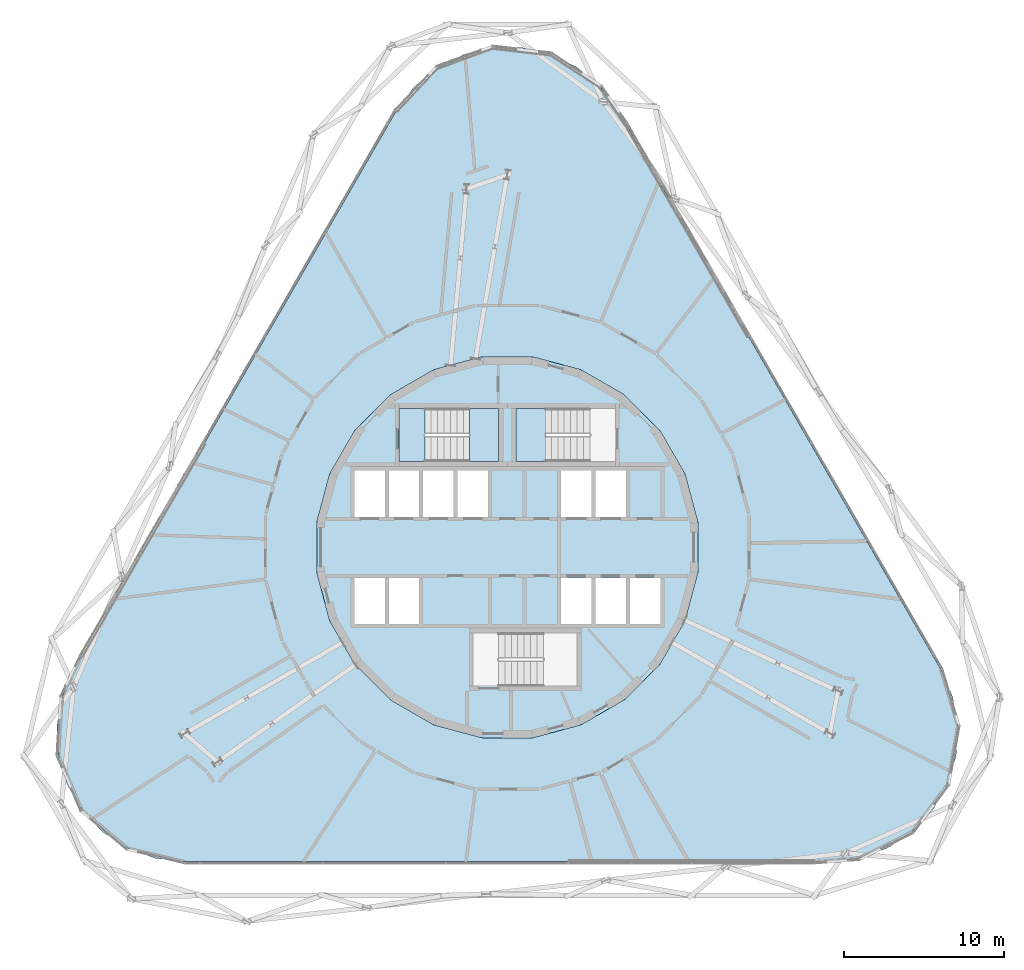
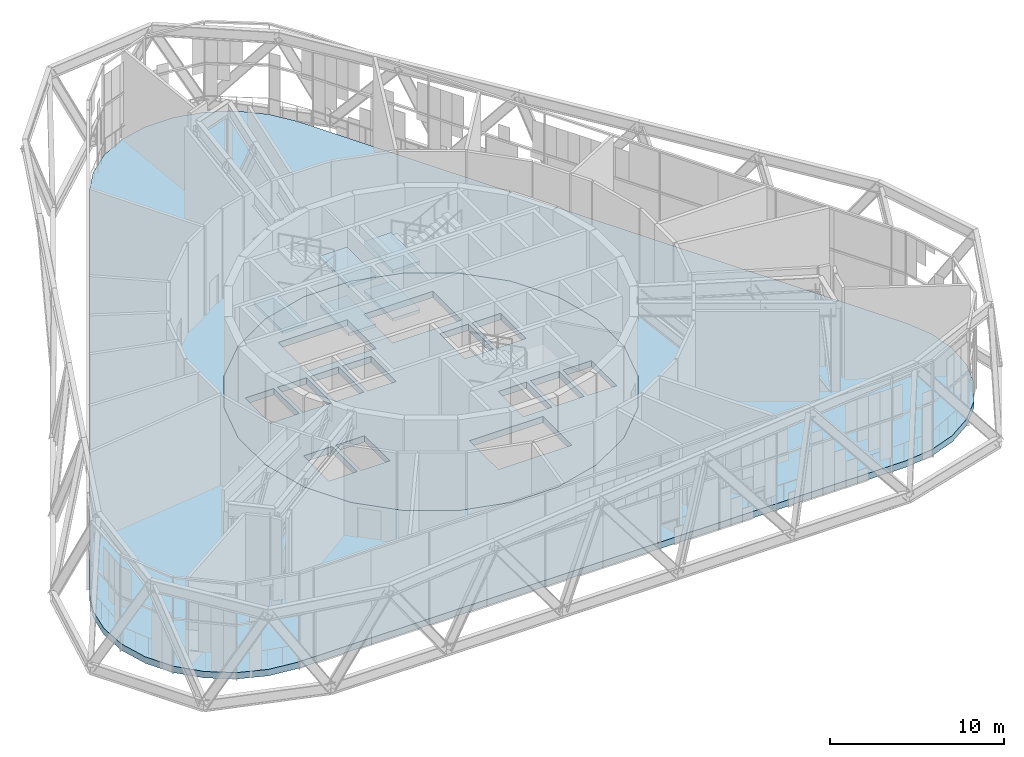
# One storey, part 14 of 29: 7 slabs, 2 elements without a shape of their own.
"""IFC4 building model written with IfcOpenShell, lengths in metres."""

import ifcopenshell
import ifcopenshell.guid

model = None  # the IFC model being written
_history = None  # IfcOwnerHistory: only IFC2X3 demands one
_inside = {}  # id of a spatial element -> (the spatial element, [elements in it])
_under = {}  # id of a project, library or spatial element -> (it, [spatial elements below it])
_declared = {}  # id of a project -> (the project, [libraries it declares])
_typed = {}  # id of a type object -> (the type object, [elements of that type])
_made_of = {}  # id of a material, layer set ... -> (it, [elements and type objects made of it])


def new_model(schema):
    """Start an empty IFC model of exactly this schema.

    Asked for "IFC4X3", IfcOpenShell would pick the latest addendum, in which some entities
    have other attributes; the version numbers below select the first issue.
    IFC2X3 requires an IfcOwnerHistory on every rooted entity: one is made here for all.
    """
    global model, _history
    if schema == "IFC4X3":
        model = ifcopenshell.file(schema_version=(4, 3, 0, 0))
    else:
        model = ifcopenshell.file(schema=schema)
    _inside.clear()
    _under.clear()
    _declared.clear()
    _typed.clear()
    _made_of.clear()
    _history = None
    if model.schema == "IFC2X3":
        org = make("IfcOrganization", Name="unknown")
        user = make(
            "IfcPersonAndOrganization",
            ThePerson=make("IfcPerson", FamilyName="unknown"),
            TheOrganization=org,
        )
        app = make(
            "IfcApplication",
            ApplicationDeveloper=org,
            Version="unknown",
            ApplicationFullName="unknown",
            ApplicationIdentifier="unknown",
        )
        _history = make(
            "IfcOwnerHistory",
            OwningUser=user,
            OwningApplication=app,
            ChangeAction="ADDED",
            CreationDate=0,
        )
    return model


def make(cls, **values):
    """One entity of the class cls with the attributes given. An attribute that is None is left unset."""
    return model.create_entity(
        cls, **{name: value for name, value in values.items() if value is not None}
    )


def rooted(cls, **values):
    """An entity with a GlobalId (a new one), such as an element, a storey or a relation."""
    return make(cls, GlobalId=ifcopenshell.guid.new(), OwnerHistory=_history, **values)


def si_unit(unit_type, name, prefix=None):
    """IfcSIUnit, for example si_unit("LENGTHUNIT", "METRE", prefix="MILLI")."""
    return make("IfcSIUnit", UnitType=unit_type, Prefix=prefix, Name=name)


def assignment(units):
    """IfcUnitAssignment: the units of a project."""
    return None if units is None else make("IfcUnitAssignment", Units=units)


def point(xyz):
    """IfcCartesianPoint."""
    return None if xyz is None else make("IfcCartesianPoint", Coordinates=xyz)


def direction(xyz):
    """IfcDirection."""
    return None if xyz is None else make("IfcDirection", DirectionRatios=xyz)


def frame(location, z_axis=None, x_axis=None):
    """IfcAxis2Placement3D, a coordinate frame: its origin and axes. An axis left out is left unset."""
    return make(
        "IfcAxis2Placement3D",
        Location=point(location),
        Axis=direction(z_axis),
        RefDirection=direction(x_axis),
    )


def origin():
    """The frame at (0, 0, 0) with its axes left unset."""
    return frame((0.0, 0.0, 0.0))


def place(relative_to, where):
    """IfcLocalPlacement: puts the frame where relative to a parent placement (None: the world)."""
    return make(
        "IfcLocalPlacement", PlacementRelTo=relative_to, RelativePlacement=where
    )


def context(
    kind, dimensions, precision=None, world=None, true_north=None, identifier=None
):
    """IfcGeometricRepresentationContext, for example the 3D "Model" context."""
    return make(
        "IfcGeometricRepresentationContext",
        ContextIdentifier=identifier,
        ContextType=kind,
        CoordinateSpaceDimension=dimensions,
        Precision=precision,
        WorldCoordinateSystem=world,
        TrueNorth=true_north,
    )


def subcontext(parent, identifier, kind, view, scale=None):
    """IfcGeometricRepresentationSubContext, for example "Body" below "Model"."""
    return make(
        "IfcGeometricRepresentationSubContext",
        ContextIdentifier=identifier,
        ContextType=kind,
        ParentContext=parent,
        TargetScale=scale,
        TargetView=view,
    )


def project(units=None, contexts=None):
    """IfcProject with its units and contexts."""
    return rooted(
        "IfcProject",
        Name="project",
        RepresentationContexts=contexts,
        UnitsInContext=assignment(units),
    )


def spatial(cls, under=None, at=None, **own):
    """A site, building, storey or space (cls), placed at a placement, below another one or the project."""
    s = rooted(cls, ObjectPlacement=at, **own)
    if under is not None:
        _under.setdefault(under.id(), (under, []))[1].append(s)
    return s


def polyline(points):
    """IfcPolyline through the points."""
    return make("IfcPolyline", Points=[point(p) for p in points])


def outline(outer, holes=None, kind="AREA"):
    """IfcArbitraryClosedProfileDef: a profile drawn as a closed curve; with holes, ...WithVoids."""
    if holes is None:
        return make("IfcArbitraryClosedProfileDef", ProfileType=kind, OuterCurve=outer)
    return make(
        "IfcArbitraryProfileDefWithVoids",
        ProfileType=kind,
        OuterCurve=outer,
        InnerCurves=holes,
    )


def extrude(swept, where, along, depth):
    """IfcExtrudedAreaSolid: the profile swept, set in the frame where, extruded along a direction by depth."""
    return make(
        "IfcExtrudedAreaSolid",
        SweptArea=swept,
        Position=where,
        ExtrudedDirection=direction(along),
        Depth=depth,
    )


def shape(context_of_items, identifier, shape_type, items):
    """IfcShapeRepresentation: the items that make up one representation, for example the "Body"."""
    return make(
        "IfcShapeRepresentation",
        ContextOfItems=context_of_items,
        RepresentationIdentifier=identifier,
        RepresentationType=shape_type,
        Items=items,
    )


def material(Name=None, Category=None):
    """IfcMaterial."""
    return make("IfcMaterial", Name=Name, Category=Category)


def layer(
    of_material, thickness, ventilated=None, Name=None, Category=None, Priority=None
):
    """IfcMaterialLayer: one layer of a wall or slab, of a material (None: an air gap)."""
    return make(
        "IfcMaterialLayer",
        Material=of_material,
        LayerThickness=thickness,
        IsVentilated=ventilated,
        Name=Name,
        Category=Category,
        Priority=Priority,
    )


def layer_set(layers, Name=None):
    """IfcMaterialLayerSet."""
    return make("IfcMaterialLayerSet", MaterialLayers=layers, LayerSetName=Name)


def made_of(thing, what):
    """Note that an element or type object is made of a material, layer set ...; save() writes the relation."""
    if what is not None:
        _made_of.setdefault(what.id(), (what, []))[1].append(thing)
    return thing


def type_object(cls, material=None, **own):
    """A type object (cls), such as IfcWallType, which elements share."""
    return made_of(rooted(cls, **own), material)


def element(
    cls,
    number,
    at=None,
    inside=None,
    cuts=None,
    type_object=None,
    material=None,
    context=None,
    identifier="Body",
    shape_type=None,
    held_by="IfcProductDefinitionShape",
    body=None,
    shapes=None,
    **own,
):
    """One element of the class cls, such as IfcWall. Its Tag is "e" and its number.

    at: its placement. inside: the storey or other place that contains it. cuts: it is an
    opening in that element (IfcRelVoidsElement). A single representation is given by context,
    identifier, shape_type and body (its items); several are given by shapes. held_by: the class
    of the entity that holds the representations. save() writes the other relations.
    """
    e = rooted(cls, Tag="e%d" % number, ObjectPlacement=at, **own)
    if body is not None:
        shapes = [shape(context, identifier, shape_type, body)]
    if shapes is not None:
        e.Representation = make(held_by, Representations=shapes)
    if inside is not None:
        _inside.setdefault(inside.id(), (inside, []))[1].append(e)
    if cuts is not None:
        rooted(
            "IfcRelVoidsElement", RelatingBuildingElement=cuts, RelatedOpeningElement=e
        )
    if type_object is not None:
        _typed.setdefault(type_object.id(), (type_object, []))[1].append(e)
    return made_of(e, material)


def aggregate(whole, parts):
    """IfcRelAggregates: a whole, such as a stair, and the parts it consists of."""
    return rooted("IfcRelAggregates", RelatingObject=whole, RelatedObjects=parts)


def save(model, path):
    """Write the relations noted so far, then the file.

    IfcRelAggregates (storeys below a building ...), IfcRelContainedInSpatialStructure (elements
    in a storey), IfcRelDefinesByType, IfcRelAssociatesMaterial and IfcRelDeclares: one each for
    every whole, place, type object, material and project.
    """
    for whole, parts in _under.values():
        aggregate(whole, parts)
    for where, things in _inside.values():
        rooted(
            "IfcRelContainedInSpatialStructure",
            RelatedElements=things,
            RelatingStructure=where,
        )
    for kind, things in _typed.values():
        rooted("IfcRelDefinesByType", RelatedObjects=things, RelatingType=kind)
    for what, things in _made_of.values():
        rooted("IfcRelAssociatesMaterial", RelatedObjects=things, RelatingMaterial=what)
    for by, libraries in _declared.values():
        rooted("IfcRelDeclares", RelatingContext=by, RelatedDefinitions=libraries)
    model.write(path)


model = new_model("IFC4")

# Units and contexts
model_context = context("Model", 3, precision=1e-05, world=origin(), true_north=direction((0.0, 1.0)))
body_context = subcontext(model_context, "Body", "Model", "MODEL_VIEW")
ifc_project = project(units=[si_unit("LENGTHUNIT", "METRE"), si_unit("AREAUNIT", "SQUARE_METRE"), si_unit("VOLUMEUNIT", "CUBIC_METRE"), si_unit("PLANEANGLEUNIT", "RADIAN"), si_unit("MASSUNIT", "GRAM", prefix="KILO")], contexts=[model_context])

# Site, building, storey
site_placement = place(None, origin())
site = spatial("IfcSite", under=ifc_project, at=site_placement, CompositionType="ELEMENT")
building_placement = place(site_placement, origin())
building = spatial("IfcBuilding", under=site, at=building_placement, Name="Spindle Arch Residences", CompositionType="ELEMENT")
storey_placement = place(building_placement, frame((0.0, 0.0, 69.89990234375)))
storey = spatial("IfcBuildingStorey", under=building, at=storey_placement, Name="L16", CompositionType="ELEMENT", Elevation=69.89990234375)

# Slabs
ifc_material_1 = material(Name="Concrete C40/50", Category="concrete")
ifc_layer_1 = layer(ifc_material_1, 0.449951171875)
ifc_layer_set_1 = layer_set([ifc_layer_1], Name="Compartment floor slab 450")
slab_type_1 = type_object("IfcSlabType", Name="Compartment floor slab 450", PredefinedType="FLOOR", material=ifc_layer_set_1)
slab_1_placement = place(storey_placement, frame((0.0, 0.0, -0.449951171875)))
element("IfcSlab", 1, at=slab_1_placement, inside=storey, type_object=slab_type_1, Name="Floor slab L16", PredefinedType="FLOOR", context=body_context, shape_type="SweptSolid", body=[
    extrude(outline(polyline([(-20.1435546875, -19.6298828125), (-21.988525390625, -19.414306640625), (-23.73388671875, -18.779052734375), (-25.285888671875, -17.75830078125), (-26.560546875, -16.4072265625), (-27.4892578125, -14.798583984375), (-28.022216796875, -13.01904296875), (-28.130126953125, -11.164794921875), (-27.8076171875, -9.33544921875), (-27.07177734375, -7.6298828125), (-6.92822265625, 27.259765625), (-5.819091796875, 28.749755859375), (-4.39599609375, 29.943603515625), (-2.736083984375, 30.77734375), (-0.9287109375, 31.205810546875), (0.9287109375, 31.205810546875), (2.736083984375, 30.77734375), (4.39599609375, 29.943603515625), (5.819091796875, 28.749755859375), (6.92822265625, 27.259765625), (27.07177734375, -7.6298828125), (27.8076171875, -9.33544921875), (28.130126953125, -11.164794921875), (28.022216796875, -13.01904296875), (27.4892578125, -14.798583984375), (26.560546875, -16.4072265625), (25.285888671875, -17.75830078125), (23.73388671875, -18.779052734375), (21.988525390625, -19.414306640625), (20.1435546875, -19.6298828125), (0.0, -19.6298828125), (-20.1435546875, -19.6298828125)]), holes=[polyline([(4.59228515625, -11.086669921875), (7.30517578125, -9.520263671875), (9.520263671875, -7.30517578125), (11.086669921875, -4.59228515625), (11.897216796875, -1.56640625), (11.897216796875, 1.56640625), (11.086669921875, 4.59228515625), (9.520263671875, 7.30517578125), (7.30517578125, 9.520263671875), (4.59228515625, 11.086669921875), (1.56640625, 11.897216796875), (-1.56640625, 11.897216796875), (-4.59228515625, 11.086669921875), (-7.30517578125, 9.520263671875), (-9.520263671875, 7.30517578125), (-11.086669921875, 4.59228515625), (-11.897216796875, 1.56640625), (-11.897216796875, -1.56640625), (-11.086669921875, -4.59228515625), (-9.520263671875, -7.30517578125), (-7.30517578125, -9.520263671875), (-4.59228515625, -11.086669921875), (-1.56640625, -11.897216796875), (1.56640625, -11.897216796875), (4.59228515625, -11.086669921875)])]), origin(), (0.0, 0.0, 1.0), 0.449951171875),
])
ifc_material_2 = material(Name="Concrete C50/60", Category="concrete")
ifc_layer_2 = layer(ifc_material_2, 0.449951171875)
ifc_layer_set_2 = layer_set([ifc_layer_2], Name="Core floor slab 450")
slab_type_2 = type_object("IfcSlabType", Name="Core floor slab 450", PredefinedType="FLOOR", material=ifc_layer_set_2)
slab_2_placement = place(storey_placement, frame((0.0, 0.0, -0.449951171875)))
element("IfcSlab", 2, at=slab_2_placement, inside=storey, type_object=slab_type_2, Name="Core floor L16", PredefinedType="FLOOR", context=body_context, shape_type="SweptSolid", body=[
    extrude(outline(polyline([(1.56640625, -11.897216796875), (4.59228515625, -11.086669921875), (7.30517578125, -9.520263671875), (9.520263671875, -7.30517578125), (11.086669921875, -4.59228515625), (11.897216796875, -1.56640625), (11.897216796875, 1.56640625), (11.086669921875, 4.59228515625), (9.520263671875, 7.30517578125), (7.30517578125, 9.520263671875), (4.59228515625, 11.086669921875), (1.56640625, 11.897216796875), (-1.56640625, 11.897216796875), (-4.59228515625, 11.086669921875), (-7.30517578125, 9.520263671875), (-9.520263671875, 7.30517578125), (-11.086669921875, 4.59228515625), (-11.897216796875, 1.56640625), (-11.897216796875, -1.56640625), (-11.086669921875, -4.59228515625), (-9.520263671875, -7.30517578125), (-7.30517578125, -9.520263671875), (-4.59228515625, -11.086669921875), (-1.56640625, -11.897216796875), (1.56640625, -11.897216796875)]), holes=[polyline([(-9.550048828125, 1.89990234375), (-7.64990234375, 1.89990234375), (-7.64990234375, 4.800048828125), (-9.550048828125, 4.800048828125), (-9.550048828125, 1.89990234375)]), polyline([(-7.39990234375, 1.89990234375), (-5.5, 1.89990234375), (-5.5, 4.800048828125), (-7.39990234375, 4.800048828125), (-7.39990234375, 1.89990234375)]), polyline([(-5.25, 1.89990234375), (-3.35009765625, 1.89990234375), (-3.35009765625, 4.800048828125), (-5.25, 4.800048828125), (-5.25, 1.89990234375)]), polyline([(-3.10009765625, 1.89990234375), (-1.199951171875, 1.89990234375), (-1.199951171875, 4.800048828125), (-3.10009765625, 4.800048828125), (-3.10009765625, 1.89990234375)]), polyline([(3.35009765625, 1.89990234375), (5.25, 1.89990234375), (5.25, 4.800048828125), (3.35009765625, 4.800048828125), (3.35009765625, 1.89990234375)]), polyline([(5.5, 1.89990234375), (7.39990234375, 1.89990234375), (7.39990234375, 4.800048828125), (5.5, 4.800048828125), (5.5, 1.89990234375)]), polyline([(-9.550048828125, -4.800048828125), (-7.64990234375, -4.800048828125), (-7.64990234375, -1.89990234375), (-9.550048828125, -1.89990234375), (-9.550048828125, -4.800048828125)]), polyline([(-7.39990234375, -4.800048828125), (-5.5, -4.800048828125), (-5.5, -1.89990234375), (-7.39990234375, -1.89990234375), (-7.39990234375, -4.800048828125)]), polyline([(3.35009765625, -4.800048828125), (5.25, -4.800048828125), (5.25, -1.89990234375), (3.35009765625, -1.89990234375), (3.35009765625, -4.800048828125)]), polyline([(5.5, -4.800048828125), (7.39990234375, -4.800048828125), (7.39990234375, -1.89990234375), (5.5, -1.89990234375), (5.5, -4.800048828125)]), polyline([(7.64990234375, -4.800048828125), (9.550048828125, -4.800048828125), (9.550048828125, -1.89990234375), (7.64990234375, -1.89990234375), (7.64990234375, -4.800048828125)]), polyline([(5.1298828125, 8.669921875), (0.550048828125, 8.669921875), (0.550048828125, 5.35009765625), (5.1298828125, 5.35009765625), (5.1298828125, 8.669921875)]), polyline([(-5.1298828125, 5.35009765625), (-0.550048828125, 5.35009765625), (-0.550048828125, 8.669921875), (-5.1298828125, 8.669921875), (-5.1298828125, 5.35009765625)]), polyline([(-0.530029296875, -8.669921875), (4.35009765625, -8.669921875), (4.35009765625, -5.35009765625), (-0.530029296875, -5.35009765625), (-0.530029296875, -8.669921875)])]), origin(), (0.0, 0.0, 1.0), 0.449951171875),
])

# Stair, slabs
ifc_material_3 = material(Name="Concrete C50/60", Category="concrete")
stair_type = type_object("IfcStairType", Name="Exit stair 32 risers", PredefinedType="HALF_TURN_STAIR", material=ifc_material_3)
stair_1_placement = place(storey_placement, origin())
stair_1 = element("IfcStair", 3, at=stair_1_placement, inside=storey, type_object=stair_type, Name="L16 Exit stair ST1", PredefinedType="HALF_TURN_STAIR")
ifc_material_4 = material(Name="Concrete C50/60", Category="concrete")
ifc_layer_3 = layer(ifc_material_4, 0.219970703125)
ifc_layer_set_3 = layer_set([ifc_layer_3], Name="Exit stair landing 220")
slab_type_3 = type_object("IfcSlabType", Name="Exit stair landing 220", PredefinedType="LANDING", material=ifc_layer_set_3)
slab_3_placement = place(storey_placement, frame((0.0, 0.0, 1.47998046875)))
slab_3 = element("IfcSlab", 4, at=slab_3_placement, type_object=slab_type_3, Name="ST1 landing 1", PredefinedType="LANDING", context=body_context, shape_type="SweptSolid", body=[
    extrude(outline(polyline([(2.3701171875, 8.669921875), (0.550048828125, 8.669921875), (0.550048828125, 5.35009765625), (2.3701171875, 5.35009765625), (2.3701171875, 8.669921875)])), origin(), (0.0, 0.0, 1.0), 0.22021484375),
])
slab_4_placement = place(storey_placement, frame((0.0, 0.0, 4.880126953125)))
slab_4 = element("IfcSlab", 5, at=slab_4_placement, type_object=slab_type_3, Name="ST1 landing 3", PredefinedType="LANDING", context=body_context, shape_type="SweptSolid", body=[
    extrude(outline(polyline([(2.3701171875, 8.669921875), (0.550048828125, 8.669921875), (0.550048828125, 5.35009765625), (2.3701171875, 5.35009765625), (2.3701171875, 8.669921875)])), origin(), (0.0, 0.0, 1.0), 0.219970703125),
])
aggregate(stair_1, [slab_3, slab_4])

stair_2_placement = place(storey_placement, origin())
stair_2 = element("IfcStair", 6, at=stair_2_placement, inside=storey, type_object=stair_type, Name="L16 Exit stair ST2", PredefinedType="HALF_TURN_STAIR")
slab_5_placement = place(storey_placement, frame((0.0, 0.0, 1.47998046875)))
slab_5 = element("IfcSlab", 7, at=slab_5_placement, type_object=slab_type_3, Name="ST2 landing 1", PredefinedType="LANDING", context=body_context, shape_type="SweptSolid", body=[
    extrude(outline(polyline([(-2.3701171875, 5.35009765625), (-0.550048828125, 5.35009765625), (-0.550048828125, 8.669921875), (-2.3701171875, 8.669921875), (-2.3701171875, 5.35009765625)])), origin(), (0.0, 0.0, 1.0), 0.22021484375),
])
slab_6_placement = place(storey_placement, frame((0.0, 0.0, 3.18017578125)))
slab_6 = element("IfcSlab", 8, at=slab_6_placement, type_object=slab_type_3, Name="ST2 landing 2", PredefinedType="LANDING", context=body_context, shape_type="SweptSolid", body=[
    extrude(outline(polyline([(-6.75, 5.35009765625), (-5.1298828125, 5.35009765625), (-5.1298828125, 8.669921875), (-6.75, 8.669921875), (-6.75, 5.35009765625)])), origin(), (0.0, 0.0, 1.0), 0.219970703125),
])
slab_7_placement = place(storey_placement, frame((0.0, 0.0, 4.880126953125)))
slab_7 = element("IfcSlab", 9, at=slab_7_placement, type_object=slab_type_3, Name="ST2 landing 3", PredefinedType="LANDING", context=body_context, shape_type="SweptSolid", body=[
    extrude(outline(polyline([(-2.3701171875, 5.35009765625), (-0.550048828125, 5.35009765625), (-0.550048828125, 8.669921875), (-2.3701171875, 8.669921875), (-2.3701171875, 5.35009765625)])), origin(), (0.0, 0.0, 1.0), 0.219970703125),
])
aggregate(stair_2, [slab_5, slab_6, slab_7])

save(model, "model.ifc")
